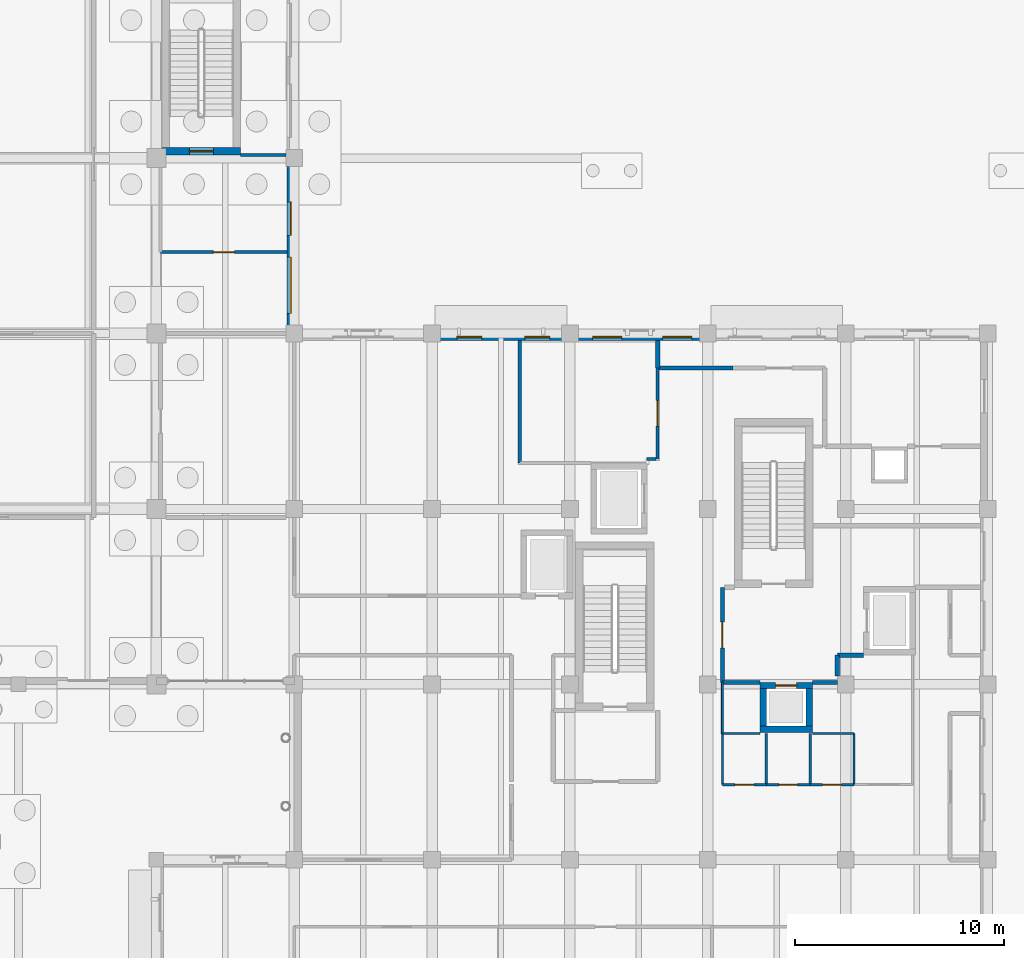
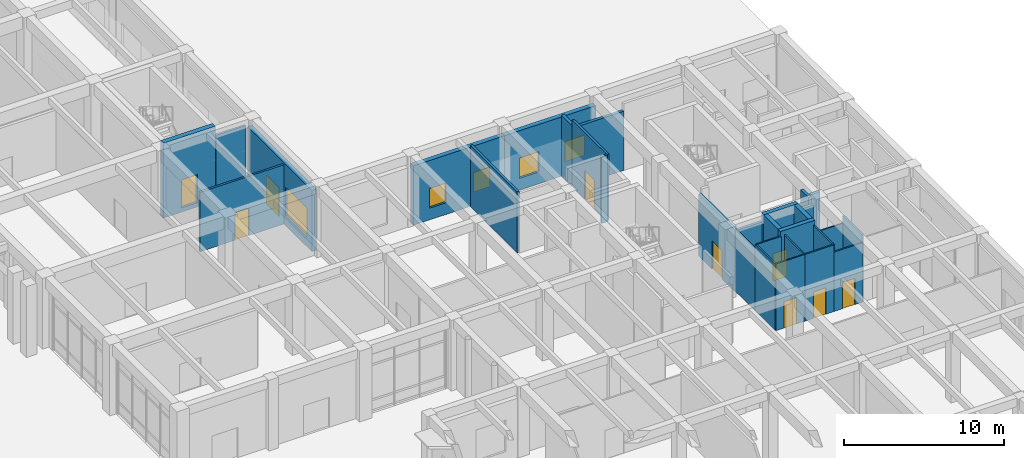
# One storey, part 62 of 82: 30 walls, 9 doors, 5 windows, 14 openings.
"""IFC4 building model written with IfcOpenShell, lengths in metres."""

from ifc_helpers import new_model, si_unit, direction, frame, frame_2d, origin, place, context, subcontext, project, spatial, rectangle, extrude, material, layer, layer_set, type_object, element, fill, save


model = new_model("IFC4")

# Units and contexts
model_context = context("Model", 3, precision=1e-05, world=origin(), true_north=direction((0.0, 1.0)))
body_context = subcontext(model_context, "Body", "Model", "MODEL_VIEW")
ifc_project = project(units=[si_unit("LENGTHUNIT", "METRE"), si_unit("AREAUNIT", "SQUARE_METRE"), si_unit("VOLUMEUNIT", "CUBIC_METRE"), si_unit("PLANEANGLEUNIT", "RADIAN"), si_unit("MASSUNIT", "GRAM", prefix="KILO")], contexts=[model_context])

# Site, building, storey
site_placement = place(None, origin())
site = spatial("IfcSite", under=ifc_project, at=site_placement, CompositionType="ELEMENT")
building_placement = place(site_placement, origin())
building = spatial("IfcBuilding", under=site, at=building_placement, Name="Kolvaren Faculty of Natural Sciences", CompositionType="ELEMENT")
storey_placement = place(building_placement, origin())
storey = spatial("IfcBuildingStorey", under=building, at=storey_placement, Name="L00", CompositionType="ELEMENT", Elevation=0.0)

# Wall
ifc_material_1 = material(Name="Acoustic mineral-wool insulated gypsum partition")
ifc_layer_1 = layer(ifc_material_1, 0.159912109375)
ifc_layer_set_1 = layer_set([ifc_layer_1], Name="Acoustic mineral-wool insulated gypsum partition")
wall_type_1 = type_object("IfcWallType", Name="ClassroomPartitionWall_160", PredefinedType="PARTITIONING", material=ifc_layer_set_1)
wall_1_placement = place(storey_placement, frame((149.60009765625, 83.85791015625, 0.0), z_axis=(0.0, 0.0, 1.0), x_axis=(0.0, -1.0, 0.0)))
element("IfcWall", 1, at=wall_1_placement, inside=storey, type_object=wall_type_1, Name="L00 interior partition PW-160", PredefinedType="PARTITIONING", context=body_context, shape_type="SweptSolid", body=[
    extrude(rectangle(XDim=5.85791015625, YDim=0.159912109375, at=frame_2d((2.928955078125, 0.0))), origin(), (0.0, 0.0, 1.0), 4.68505859375),
])

# Wall, opening, door
ifc_layer_2 = layer(ifc_material_1, 0.14501953125)
ifc_layer_set_2 = layer_set([ifc_layer_2], Name="Acoustic mineral-wool insulated gypsum partition")
wall_type_2 = type_object("IfcWallType", Name="CommonsPartitionWall_145", PredefinedType="PARTITIONING", material=ifc_layer_set_2)
wall_2_placement = place(storey_placement, frame((156.199951171875, 82.550048828125, 0.0), z_axis=(0.0, 0.0, 1.0), x_axis=(0.0, -1.0, 0.0)))
wall_2 = element("IfcWall", 2, at=wall_2_placement, inside=storey, type_object=wall_type_2, Name="L00 interior partition PW-145", PredefinedType="PARTITIONING", context=body_context, shape_type="SweptSolid", body=[
    extrude(rectangle(XDim=4.35009765625, YDim=0.14501953125, at=frame_2d((2.175048828125, 0.0))), origin(), (0.0, 0.0, 1.0), 5.094970703125),
])
opening_1_placement = place(wall_2_placement, frame((1.56494140625, 0.0, 0.0)))
opening_1 = element("IfcOpeningElement", 3, at=opening_1_placement, cuts=wall_2, Name="Opening ID-37", PredefinedType="OPENING", context=body_context, shape_type="SweptSolid", body=[
    extrude(rectangle(XDim=1.219970703125, YDim=2.179931640625, at=frame_2d((0.60986328125, 1.08984375))), frame((0.0, 0.08251953125, 0.0), z_axis=(0.0, -1.0, 0.0), x_axis=(1.0, 0.0, 0.0)), (0.0, 0.0, 1.0), 0.1650390625),
])
ifc_material_2 = material(Name="Solid-core hardwood veneer door leaf in steel frame", Category="steel")
door_type_1 = type_object("IfcDoorType", Name="InteriorRoomDoor_1220x2180", OperationType="NOTDEFINED", PredefinedType="DOOR", material=ifc_material_2)
door_1_placement = place(opening_1_placement, origin())
door_1 = element("IfcDoor", 4, at=door_1_placement, inside=storey, type_object=door_type_1, Name="D-L00-0102", OperationType="SINGLE_SWING_RIGHT", OverallHeight=2.179931640625, OverallWidth=1.219970703125, PredefinedType="DOOR", context=body_context, shape_type="SweptSolid", body=[
    extrude(rectangle(XDim=1.219970703125, YDim=2.179931640625, at=frame_2d((0.60986328125, 1.08984375))), frame((0.0, 0.02490234375, 0.0), z_axis=(0.0, -1.0, 0.0), x_axis=(1.0, 0.0, 0.0)), (0.0, 0.0, 1.0), 0.050048828125),
])
fill(opening_1, door_1)

# Wall
wall_3_placement = place(storey_placement, frame((156.12744140625, 78.199951171875, 0.0), z_axis=(0.0, 0.0, 1.0), x_axis=(-1.0, 0.0, 0.0)))
element("IfcWall", 5, at=wall_3_placement, inside=storey, type_object=wall_type_2, Name="L00 interior partition PW-145", PredefinedType="PARTITIONING", context=body_context, shape_type="SweptSolid", body=[
    extrude(rectangle(XDim=0.427490234375, YDim=0.14501953125, at=frame_2d((0.2138671875, 0.0))), origin(), (0.0, 0.0, 1.0), 5.094970703125),
])

# Wall, opening, door
ifc_material_3 = material(Name="Concrete C40/50", Category="concrete")
ifc_layer_3 = layer(ifc_material_3, 0.35009765625)
ifc_layer_set_3 = layer_set([ifc_layer_3], Name="Concrete C40/50")
wall_type_3 = type_object("IfcWallType", Name="CoreShearWall_350", PredefinedType="SHEAR", material=ifc_layer_set_3)
wall_4_placement = place(storey_placement, frame((136.22509765625, 92.925048828125, -0.320068359375), z_axis=(0.0, 0.0, 1.0), x_axis=(-1.0, 0.0, 0.0)))
wall_4 = element("IfcWall", 6, at=wall_4_placement, inside=storey, type_object=wall_type_3, Name="L00 CORE-C7 stair shear wall S", PredefinedType="SHEAR", context=body_context, shape_type="SweptSolid", body=[
    extrude(rectangle(XDim=3.75, YDim=0.35009765625, at=frame_2d((1.875, 0.0))), origin(), (0.0, 0.0, 1.0), 5.719970703125),
])
opening_2_placement = place(wall_4_placement, frame((1.300048828125, 0.0, 0.320068359375)))
opening_2 = element("IfcOpeningElement", 7, at=opening_2_placement, cuts=wall_4, Name="Opening FD90", PredefinedType="OPENING", context=body_context, shape_type="SweptSolid", body=[
    extrude(rectangle(XDim=1.14990234375, YDim=2.14990234375, at=frame_2d((0.574951171875, 1.074951171875))), frame((0.0, 0.18505859375, 0.0), z_axis=(0.0, -1.0, 0.0), x_axis=(1.0, 0.0, 0.0)), (0.0, 0.0, 1.0), 0.3701171875),
])
ifc_material_4 = material(Name="Fire-rated solid-core hardwood door leaf in steel frame", Category="steel")
door_type_2 = type_object("IfcDoorType", Name="StairCoreFireDoor_1150x2150", OperationType="NOTDEFINED", PredefinedType="DOOR", material=ifc_material_4)
door_2_placement = place(opening_2_placement, origin())
door_2 = element("IfcDoor", 8, at=door_2_placement, inside=storey, type_object=door_type_2, Name="D-ST-ST-7-L00", OperationType="SINGLE_SWING_RIGHT", OverallHeight=2.14990234375, OverallWidth=1.14990234375, PredefinedType="DOOR", context=body_context, shape_type="SweptSolid", body=[
    extrude(rectangle(XDim=1.14990234375, YDim=2.14990234375, at=frame_2d((0.574951171875, 1.074951171875))), frame((0.0, 0.02490234375, 0.0), z_axis=(0.0, -1.0, 0.0), x_axis=(1.0, 0.0, 0.0)), (0.0, 0.0, 1.0), 0.050048828125),
])
fill(opening_2, door_2)

# Wall
ifc_layer_4 = layer(ifc_material_1, 0.094970703125)
ifc_layer_set_4 = layer_set([ifc_layer_4], Name="Acoustic mineral-wool insulated gypsum partition")
wall_type_4 = type_object("IfcWallType", Name="CubiclePartition_095", PredefinedType="PARTITIONING", material=ifc_layer_set_4)
wall_5_placement = place(storey_placement, frame((159.300048828125, 65.050048828125, 0.0), z_axis=(0.0, 0.0, 1.0), x_axis=(0.0, 1.0, 0.0)))
element("IfcWall", 9, at=wall_5_placement, inside=storey, type_object=wall_type_4, Name="L00 interior partition PW-095", PredefinedType="PARTITIONING", context=body_context, shape_type="SweptSolid", body=[
    extrude(rectangle(XDim=2.449951171875, YDim=0.094970703125, at=frame_2d((1.22509765625, 0.0))), origin(), (0.0, 0.0, 1.0), 4.735107421875),
])

# Wall, openings, window, door
ifc_material_5 = material(Name="Sandstone-faced insulated cavity masonry", Category="masonry")
ifc_layer_5 = layer(ifc_material_5, 0.340087890625)
ifc_layer_set_5 = layer_set([ifc_layer_5], Name="Sandstone-faced insulated cavity masonry")
wall_type_5 = type_object("IfcWallType", Name="ExteriorCavityWall_340", PredefinedType="STANDARD", material=ifc_layer_set_5)
wall_6_placement = place(storey_placement, frame((138.6298828125, 92.60009765625, 0.0), z_axis=(0.0, 0.0, 1.0), x_axis=(0.0, -1.0, 0.0)))
wall_6 = element("IfcWall", 10, at=wall_6_placement, inside=storey, type_object=wall_type_5, Name="L00 exterior masonry wall EW-340 (112)", PredefinedType="STANDARD", context=body_context, shape_type="SweptSolid", body=[
    extrude(rectangle(XDim=8.06005859375, YDim=0.340087890625, at=frame_2d((4.030029296875, 0.0))), origin(), (0.0, 0.0, 1.0), 4.68505859375),
])
opening_3_placement = place(wall_6_placement, frame((2.10009765625, 0.0, 0.0)))
opening_3 = element("IfcOpeningElement", 11, at=opening_3_placement, cuts=wall_6, Name="Opening ED-03", PredefinedType="OPENING", context=body_context, shape_type="SweptSolid", body=[
    extrude(rectangle(XDim=1.60009765625, YDim=2.199951171875, at=frame_2d((0.800048828125, 1.10009765625))), frame((0.0, 0.179931640625, 0.0), z_axis=(0.0, -1.0, 0.0), x_axis=(1.0, 0.0, 0.0)), (0.0, 0.0, 1.0), 0.360107421875),
])
opening_4_placement = place(wall_6_placement, frame((4.739990234375, 0.0, 0.75)))
opening_4 = element("IfcOpeningElement", 12, at=opening_4_placement, cuts=wall_6, Name="Opening WIN-11", PredefinedType="OPENING", context=body_context, shape_type="SweptSolid", body=[
    extrude(rectangle(XDim=2.699951171875, YDim=2.199951171875, at=frame_2d((1.35009765625, 1.10009765625))), frame((0.0, 0.179931640625, 0.0), z_axis=(0.0, -1.0, 0.0), x_axis=(1.0, 0.0, 0.0)), (0.0, 0.0, 1.0), 0.360107421875),
])
ifc_material_6 = material(Name="Double low-E solar control insulated glazing", Category="glass")
window_type_1 = type_object("IfcWindowType", Name="AluWindow_WIN11_2700x2200", PartitioningType="SINGLE_PANEL", PredefinedType="WINDOW", material=ifc_material_6)
window_1_placement = place(opening_4_placement, origin())
window_1 = element("IfcWindow", 13, at=window_1_placement, inside=storey, type_object=window_type_1, Name="WIN-L00-0101", OverallHeight=2.199951171875, OverallWidth=2.699951171875, PartitioningType="SINGLE_PANEL", PredefinedType="WINDOW", context=body_context, shape_type="SweptSolid", body=[
    extrude(rectangle(XDim=2.699951171875, YDim=2.199951171875, at=frame_2d((1.35009765625, 1.10009765625))), frame((0.0, 0.030029296875, 0.0), z_axis=(0.0, -1.0, 0.0), x_axis=(1.0, 0.0, 0.0)), (0.0, 0.0, 1.0), 0.06005859375),
])
fill(opening_4, window_1)
ifc_material_7 = material(Name="Thermally broken anodised aluminium framing", Category="aluminium")
door_type_3 = type_object("IfcDoorType", Name="FinalExitDoubleDoor_1600x2200", OperationType="DOUBLE_DOOR_SINGLE_SWING", PredefinedType="DOOR", material=ifc_material_7)
door_3_placement = place(opening_3_placement, origin())
door_3 = element("IfcDoor", 14, at=door_3_placement, inside=storey, type_object=door_type_3, Name="D-L00-EX-02", OperationType="DOUBLE_DOOR_SINGLE_SWING", OverallHeight=2.199951171875, OverallWidth=1.60009765625, PredefinedType="DOOR", context=body_context, shape_type="SweptSolid", body=[
    extrude(rectangle(XDim=1.60009765625, YDim=2.199951171875, at=frame_2d((0.800048828125, 1.10009765625))), frame((0.0, 0.02490234375, 0.0), z_axis=(0.0, -1.0, 0.0), x_axis=(1.0, 0.0, 0.0)), (0.0, 0.0, 1.0), 0.050048828125),
])
fill(opening_3, door_3)

# Wall, openings, windows
wall_7_placement = place(storey_placement, frame((145.39990234375, 84.030029296875, 0.0), z_axis=(0.0, 0.0, 1.0), x_axis=(1.0, 0.0, 0.0)))
wall_7 = element("IfcWall", 15, at=wall_7_placement, inside=storey, type_object=wall_type_5, Name="L00 exterior masonry wall EW-340 (114)", PredefinedType="STANDARD", context=body_context, shape_type="SweptSolid", body=[
    extrude(rectangle(XDim=6.60009765625, YDim=0.340087890625, at=frame_2d((3.300048828125, 0.0))), origin(), (0.0, 0.0, 1.0), 4.534912109375),
])
opening_5_placement = place(wall_7_placement, frame((1.181884765625, 0.0, 0.89990234375)))
opening_5 = element("IfcOpeningElement", 16, at=opening_5_placement, cuts=wall_7, Name="Opening WIN-13", PredefinedType="OPENING", context=body_context, shape_type="SweptSolid", body=[
    extrude(rectangle(XDim=1.199951171875, YDim=1.5, at=frame_2d((0.60009765625, 0.75))), frame((0.0, 0.179931640625, 0.0), z_axis=(0.0, -1.0, 0.0), x_axis=(1.0, 0.0, 0.0)), (0.0, 0.0, 1.0), 0.360107421875),
])
opening_6_placement = place(wall_7_placement, frame((4.43994140625, 0.0, 0.89990234375)))
opening_6 = element("IfcOpeningElement", 17, at=opening_6_placement, cuts=wall_7, Name="Opening WIN-13", PredefinedType="OPENING", context=body_context, shape_type="SweptSolid", body=[
    extrude(rectangle(XDim=1.199951171875, YDim=1.5, at=frame_2d((0.60009765625, 0.75))), frame((0.0, 0.179931640625, 0.0), z_axis=(0.0, -1.0, 0.0), x_axis=(1.0, 0.0, 0.0)), (0.0, 0.0, 1.0), 0.360107421875),
])
window_type_2 = type_object("IfcWindowType", Name="AluWindow_WIN13_1200x1500", PartitioningType="SINGLE_PANEL", PredefinedType="WINDOW", material=ifc_material_6)
window_2_placement = place(opening_5_placement, origin())
window_2 = element("IfcWindow", 18, at=window_2_placement, inside=storey, type_object=window_type_2, Name="WIN-L00-0103", OverallHeight=1.5, OverallWidth=1.199951171875, PartitioningType="SINGLE_PANEL", PredefinedType="WINDOW", context=body_context, shape_type="SweptSolid", body=[
    extrude(rectangle(XDim=1.199951171875, YDim=1.5, at=frame_2d((0.60009765625, 0.75))), frame((0.0, 0.030029296875, 0.0), z_axis=(0.0, -1.0, 0.0), x_axis=(1.0, 0.0, 0.0)), (0.0, 0.0, 1.0), 0.06005859375),
])
fill(opening_5, window_2)
window_3_placement = place(opening_6_placement, origin())
window_3 = element("IfcWindow", 19, at=window_3_placement, inside=storey, type_object=window_type_2, Name="WIN-L00-0104", OverallHeight=1.5, OverallWidth=1.199951171875, PartitioningType="SINGLE_PANEL", PredefinedType="WINDOW", context=body_context, shape_type="SweptSolid", body=[
    extrude(rectangle(XDim=1.199951171875, YDim=1.5, at=frame_2d((0.60009765625, 0.75))), frame((0.0, 0.030029296875, 0.0), z_axis=(0.0, -1.0, 0.0), x_axis=(1.0, 0.0, 0.0)), (0.0, 0.0, 1.0), 0.06005859375),
])
fill(opening_6, window_3)

wall_8_placement = place(storey_placement, frame((152.0, 84.030029296875, 0.0), z_axis=(0.0, 0.0, 1.0), x_axis=(1.0, 0.0, 0.0)))
wall_8 = element("IfcWall", 20, at=wall_8_placement, inside=storey, type_object=wall_type_5, Name="L00 exterior masonry wall EW-340 (115)", PredefinedType="STANDARD", context=body_context, shape_type="SweptSolid", body=[
    extrude(rectangle(XDim=6.60009765625, YDim=0.340087890625, at=frame_2d((3.300048828125, 0.0))), origin(), (0.0, 0.0, 1.0), 4.534912109375),
])
opening_7_placement = place(wall_8_placement, frame((1.08203125, 0.0, 0.89990234375)))
opening_7 = element("IfcOpeningElement", 21, at=opening_7_placement, cuts=wall_8, Name="Opening WIN-14", PredefinedType="OPENING", context=body_context, shape_type="SweptSolid", body=[
    extrude(rectangle(XDim=1.39990234375, YDim=1.550048828125, at=frame_2d((0.699951171875, 0.77490234375))), frame((0.0, 0.179931640625, 0.0), z_axis=(0.0, -1.0, 0.0), x_axis=(1.0, 0.0, 0.0)), (0.0, 0.0, 1.0), 0.360107421875),
])
opening_8_placement = place(wall_8_placement, frame((4.43994140625, 0.0, 0.89990234375)))
opening_8 = element("IfcOpeningElement", 22, at=opening_8_placement, cuts=wall_8, Name="Opening WIN-14", PredefinedType="OPENING", context=body_context, shape_type="SweptSolid", body=[
    extrude(rectangle(XDim=1.39990234375, YDim=1.550048828125, at=frame_2d((0.699951171875, 0.77490234375))), frame((0.0, 0.179931640625, 0.0), z_axis=(0.0, -1.0, 0.0), x_axis=(1.0, 0.0, 0.0)), (0.0, 0.0, 1.0), 0.360107421875),
])
window_type_3 = type_object("IfcWindowType", Name="AluWindow_WIN14_1400x1550", PartitioningType="SINGLE_PANEL", PredefinedType="WINDOW", material=ifc_material_6)
window_4_placement = place(opening_7_placement, origin())
window_4 = element("IfcWindow", 23, at=window_4_placement, inside=storey, type_object=window_type_3, Name="WIN-L00-0105", OverallHeight=1.550048828125, OverallWidth=1.39990234375, PartitioningType="SINGLE_PANEL", PredefinedType="WINDOW", context=body_context, shape_type="SweptSolid", body=[
    extrude(rectangle(XDim=1.39990234375, YDim=1.550048828125, at=frame_2d((0.699951171875, 0.77490234375))), frame((0.0, 0.030029296875, 0.0), z_axis=(0.0, -1.0, 0.0), x_axis=(1.0, 0.0, 0.0)), (0.0, 0.0, 1.0), 0.06005859375),
])
fill(opening_7, window_4)
window_5_placement = place(opening_8_placement, origin())
window_5 = element("IfcWindow", 24, at=window_5_placement, inside=storey, type_object=window_type_3, Name="WIN-L00-0106", OverallHeight=1.550048828125, OverallWidth=1.39990234375, PartitioningType="SINGLE_PANEL", PredefinedType="WINDOW", context=body_context, shape_type="SweptSolid", body=[
    extrude(rectangle(XDim=1.39990234375, YDim=1.550048828125, at=frame_2d((0.699951171875, 0.77490234375))), frame((0.0, 0.030029296875, 0.0), z_axis=(0.0, -1.0, 0.0), x_axis=(1.0, 0.0, 0.0)), (0.0, 0.0, 1.0), 0.06005859375),
])
fill(opening_8, window_5)

# Walls
ifc_material_8 = material(Name="Autoclaved aerated fire-rated masonry blockwork", Category="masonry")
ifc_layer_6 = layer(ifc_material_8, 0.199951171875)
ifc_layer_set_6 = layer_set([ifc_layer_6], Name="Autoclaved aerated fire-rated masonry blockwork")
wall_type_6 = type_object("IfcWallType", Name="FireLobbyWall_200", PredefinedType="PARTITIONING", material=ifc_layer_set_6)
wall_9_placement = place(storey_placement, frame((166.050048828125, 68.800048828125, 0.0), z_axis=(0.0, 0.0, 1.0), x_axis=(-1.0, 0.0, 0.0)))
element("IfcWall", 25, at=wall_9_placement, inside=storey, type_object=wall_type_6, Name="L00 interior partition FW-200", PredefinedType="PARTITIONING", context=body_context, shape_type="SweptSolid", body=[
    extrude(rectangle(XDim=1.25, YDim=0.199951171875, at=frame_2d((0.625, 0.0))), origin(), (0.0, 0.0, 1.0), 4.534912109375),
])
wall_10_placement = place(storey_placement, frame((164.800048828125, 68.800048828125, 0.0), z_axis=(0.0, 0.0, 1.0), x_axis=(0.0, -1.0, 0.0)))
element("IfcWall", 26, at=wall_10_placement, inside=storey, type_object=wall_type_6, Name="L00 interior partition FW-200", PredefinedType="PARTITIONING", context=body_context, shape_type="SweptSolid", body=[
    extrude(rectangle(XDim=1.0, YDim=0.199951171875, at=frame_2d((0.5, 0.0))), origin(), (0.0, 0.0, 1.0), 5.094970703125),
])
wall_11_placement = place(storey_placement, frame((164.800048828125, 67.5, 0.0), z_axis=(0.0, 0.0, 1.0), x_axis=(-1.0, 0.0, 0.0)))
element("IfcWall", 27, at=wall_11_placement, inside=storey, type_object=wall_type_6, Name="L00 interior partition FW-200", PredefinedType="PARTITIONING", context=body_context, shape_type="SweptSolid", body=[
    extrude(rectangle(XDim=1.199951171875, YDim=0.199951171875, at=frame_2d((0.60009765625, 0.0))), origin(), (0.0, 0.0, 1.0), 4.735107421875),
])
wall_12_placement = place(storey_placement, frame((161.10009765625, 67.5, 0.0), z_axis=(0.0, 0.0, 1.0), x_axis=(-1.0, 0.0, 0.0)))
element("IfcWall", 28, at=wall_12_placement, inside=storey, type_object=wall_type_6, Name="L00 interior partition FW-200", PredefinedType="PARTITIONING", context=body_context, shape_type="SweptSolid", body=[
    extrude(rectangle(XDim=1.800048828125, YDim=0.199951171875, at=frame_2d((0.89990234375, 0.0))), origin(), (0.0, 0.0, 1.0), 4.735107421875),
])

# Wall, opening, door
wall_13_placement = place(storey_placement, frame((159.300048828125, 67.5, 0.0), z_axis=(0.0, 0.0, 1.0), x_axis=(0.0, 1.0, 0.0)))
wall_13 = element("IfcWall", 29, at=wall_13_placement, inside=storey, type_object=wall_type_6, Name="L00 interior partition FW-200", PredefinedType="PARTITIONING", context=body_context, shape_type="SweptSolid", body=[
    extrude(rectangle(XDim=4.550048828125, YDim=0.199951171875, at=frame_2d((2.27490234375, 0.0))), origin(), (0.0, 0.0, 1.0), 4.735107421875),
])
opening_9_placement = place(wall_13_placement, frame((1.64990234375, 0.0, 0.0)))
opening_9 = element("IfcOpeningElement", 30, at=opening_9_placement, cuts=wall_13, Name="Opening FD60", PredefinedType="OPENING", context=body_context, shape_type="SweptSolid", body=[
    extrude(rectangle(XDim=1.25, YDim=2.14990234375, at=frame_2d((0.625, 1.074951171875))), frame((0.0, 0.10986328125, 0.0), z_axis=(0.0, -1.0, 0.0), x_axis=(1.0, 0.0, 0.0)), (0.0, 0.0, 1.0), 0.219970703125),
])
door_type_4 = type_object("IfcDoorType", Name="RescueLobbyFireDoor_1250x2150", OperationType="NOTDEFINED", PredefinedType="DOOR", material=ifc_material_4)
door_4_placement = place(opening_9_placement, origin())
door_4 = element("IfcDoor", 31, at=door_4_placement, inside=storey, type_object=door_type_4, Name="D-L00-0026", OperationType="SINGLE_SWING_LEFT", OverallHeight=2.14990234375, OverallWidth=1.25, PredefinedType="DOOR", context=body_context, shape_type="SweptSolid", body=[
    extrude(rectangle(XDim=1.25, YDim=2.14990234375, at=frame_2d((0.625, 1.074951171875))), frame((0.0, 0.02490234375, 0.0), z_axis=(0.0, -1.0, 0.0), x_axis=(1.0, 0.0, 0.0)), (0.0, 0.0, 1.0), 0.050048828125),
])
fill(opening_9, door_4)

# Walls
wall_14_placement = place(storey_placement, frame((159.800048828125, 82.550048828125, 0.0), z_axis=(0.0, 0.0, 1.0), x_axis=(-1.0, 0.0, 0.0)))
element("IfcWall", 32, at=wall_14_placement, inside=storey, type_object=wall_type_6, Name="L00 interior partition FW-200", PredefinedType="PARTITIONING", context=body_context, shape_type="SweptSolid", body=[
    extrude(rectangle(XDim=3.60009765625, YDim=0.199951171875, at=frame_2d((1.800048828125, 0.0))), origin(), (0.0, 0.0, 1.0), 4.534912109375),
])
wall_15_placement = place(storey_placement, frame((156.199951171875, 82.550048828125, 0.0), z_axis=(0.0, 0.0, 1.0), x_axis=(0.0, 1.0, 0.0)))
element("IfcWall", 33, at=wall_15_placement, inside=storey, type_object=wall_type_6, Name="L00 interior partition FW-200", PredefinedType="PARTITIONING", context=body_context, shape_type="SweptSolid", body=[
    extrude(rectangle(XDim=1.307861328125, YDim=0.199951171875, at=frame_2d((0.65380859375, 0.0))), origin(), (0.0, 0.0, 1.0), 4.68505859375),
])
ifc_material_9 = material(Name="Double fire-rated gypsum board on 100 mm steel stud", Category="steel")
ifc_layer_7 = layer(ifc_material_9, 0.14990234375)
ifc_layer_set_7 = layer_set([ifc_layer_7], Name="Double fire-rated gypsum board on 100 mm steel stud")
wall_type_7 = type_object("IfcWallType", Name="RatedCorridorWall_150", PredefinedType="PARTITIONING", material=ifc_layer_set_7)
wall_16_placement = place(storey_placement, frame((136.22509765625, 92.75, 0.0), z_axis=(0.0, 0.0, 1.0), x_axis=(1.0, 0.0, 0.0)))
element("IfcWall", 34, at=wall_16_placement, inside=storey, type_object=wall_type_7, Name="L00 interior partition LW-150", PredefinedType="PARTITIONING", context=body_context, shape_type="SweptSolid", body=[
    extrude(rectangle(XDim=2.1748046875, YDim=0.14990234375, at=frame_2d((1.08740234375, 0.0))), origin(), (0.0, 0.0, 1.0), 4.735107421875),
])

# Wall, opening, door
wall_17_placement = place(storey_placement, frame((138.4580078125, 88.10009765625, 0.0), z_axis=(0.0, 0.0, 1.0), x_axis=(-1.0, 0.0, 0.0)))
wall_17 = element("IfcWall", 35, at=wall_17_placement, inside=storey, type_object=wall_type_7, Name="L00 interior partition LW-150", PredefinedType="PARTITIONING", context=body_context, shape_type="SweptSolid", body=[
    extrude(rectangle(XDim=6.05810546875, YDim=0.14990234375, at=frame_2d((3.029052734375, 0.0))), origin(), (0.0, 0.0, 1.0), 4.534912109375),
])
opening_10_placement = place(wall_17_placement, frame((2.529052734375, 0.0, 0.0)))
opening_10 = element("IfcOpeningElement", 36, at=opening_10_placement, cuts=wall_17, Name="Opening FD30", PredefinedType="OPENING", context=body_context, shape_type="SweptSolid", body=[
    extrude(rectangle(XDim=1.0, YDim=2.10009765625, at=frame_2d((0.5, 1.050048828125))), frame((0.0, 0.0849609375, 0.0), z_axis=(0.0, -1.0, 0.0), x_axis=(1.0, 0.0, 0.0)), (0.0, 0.0, 1.0), 0.169921875),
])
door_type_5 = type_object("IfcDoorType", Name="CorridorFireDoor_1000x2100", OperationType="NOTDEFINED", PredefinedType="DOOR", material=ifc_material_4)
door_5_placement = place(opening_10_placement, origin())
door_5 = element("IfcDoor", 37, at=door_5_placement, inside=storey, type_object=door_type_5, Name="D-L00-0034", OperationType="SINGLE_SWING_LEFT", OverallHeight=2.10009765625, OverallWidth=1.0, PredefinedType="DOOR", context=body_context, shape_type="SweptSolid", body=[
    extrude(rectangle(XDim=1.0, YDim=2.10009765625, at=frame_2d((0.5, 1.050048828125))), frame((0.0, 0.02490234375, 0.0), z_axis=(0.0, -1.0, 0.0), x_axis=(1.0, 0.0, 0.0)), (0.0, 0.0, 1.0), 0.050048828125),
])
fill(opening_10, door_5)

# Wall
ifc_layer_8 = layer(ifc_material_3, 0.300048828125)
ifc_layer_set_8 = layer_set([ifc_layer_8], Name="Concrete C40/50")
wall_type_8 = type_object("IfcWallType", Name="ShaftShearWall_300", PredefinedType="SHEAR", material=ifc_layer_set_8)
wall_18_placement = place(storey_placement, frame((161.10009765625, 65.25, 0.0), z_axis=(0.0, 0.0, 1.0), x_axis=(1.0, 0.0, 0.0)))
element("IfcWall", 38, at=wall_18_placement, inside=storey, type_object=wall_type_8, Name="L00 lift PL-1 shaft wall S", PredefinedType="SHEAR", context=body_context, shape_type="SweptSolid", body=[
    extrude(rectangle(XDim=2.5, YDim=0.300048828125, at=frame_2d((1.25, 0.0))), origin(), (0.0, 0.0, 1.0), 5.39990234375),
])

# Wall, opening, door
wall_19_placement = place(storey_placement, frame((161.10009765625, 67.35009765625, 0.0), z_axis=(0.0, 0.0, 1.0), x_axis=(1.0, 0.0, 0.0)))
wall_19 = element("IfcWall", 39, at=wall_19_placement, inside=storey, type_object=wall_type_8, Name="L00 lift PL-1 shaft wall N", PredefinedType="SHEAR", context=body_context, shape_type="SweptSolid", body=[
    extrude(rectangle(XDim=2.5, YDim=0.300048828125, at=frame_2d((1.25, 0.0))), origin(), (0.0, 0.0, 1.0), 5.39990234375),
])
opening_11_placement = place(wall_19_placement, frame((0.75, 0.0, 0.0)))
opening_11 = element("IfcOpeningElement", 40, at=opening_11_placement, cuts=wall_19, Name="Opening LD-02", PredefinedType="OPENING", context=body_context, shape_type="SweptSolid", body=[
    extrude(rectangle(XDim=1.0, YDim=2.10009765625, at=frame_2d((0.5, 1.050048828125))), frame((0.0, 0.159912109375, 0.0), z_axis=(0.0, -1.0, 0.0), x_axis=(1.0, 0.0, 0.0)), (0.0, 0.0, 1.0), 0.320068359375),
])
ifc_material_10 = material(Name="Brushed stainless steel lift car and sliding door assembly", Category="steel")
door_type_6 = type_object("IfcDoorType", Name="LiftLandingSliding_1000x2100", OperationType="SLIDING_TO_LEFT", PredefinedType="DOOR", material=ifc_material_10)
door_6_placement = place(opening_11_placement, origin())
door_6 = element("IfcDoor", 41, at=door_6_placement, inside=storey, type_object=door_type_6, Name="D-LIFT-PL-1-L00", OperationType="SLIDING_TO_LEFT", OverallHeight=2.10009765625, OverallWidth=1.0, PredefinedType="DOOR", context=body_context, shape_type="SweptSolid", body=[
    extrude(rectangle(XDim=1.0, YDim=2.10009765625, at=frame_2d((0.5, 1.050048828125))), frame((0.0, 0.02490234375, 0.0), z_axis=(0.0, -1.0, 0.0), x_axis=(1.0, 0.0, 0.0)), (0.0, 0.0, 1.0), 0.050048828125),
])
fill(opening_11, door_6)

# Walls
for number, where, z_axis, x_axis, name in (
    (42, (161.25, 65.39990234375, 0.0), (0.0, 0.0, 1.0), (0.0, 1.0, 0.0), "L00 lift PL-1 shaft wall W"),
    (43, (163.449951171875, 65.39990234375, 0.0), (0.0, 0.0, 1.0), (0.0, 1.0, 0.0), "L00 lift PL-1 shaft wall E"),
):
    element("IfcWall", number, at=place(storey_placement, frame(where, z_axis=z_axis, x_axis=x_axis)), inside=storey, type_object=wall_type_8, Name=name, PredefinedType="SHEAR", context=body_context, shape_type="SweptSolid", body=[
        extrude(rectangle(XDim=1.800048828125, YDim=0.300048828125, at=frame_2d((0.89990234375, 0.0))), origin(), (0.0, 0.0, 1.0), 5.39990234375),
    ])
ifc_layer_9 = layer(ifc_material_1, 0.10498046875)
ifc_layer_set_9 = layer_set([ifc_layer_9], Name="Acoustic mineral-wool insulated gypsum partition")
wall_type_9 = type_object("IfcWallType", Name="WetRoomPartition_105", PredefinedType="PARTITIONING", material=ifc_layer_set_9)
wall_20_placement = place(storey_placement, frame((159.300048828125, 65.050048828125, 0.0), z_axis=(0.0, 0.0, 1.0), x_axis=(1.0, 0.0, 0.0)))
element("IfcWall", 44, at=wall_20_placement, inside=storey, type_object=wall_type_9, Name="L00 interior partition PW-105", PredefinedType="PARTITIONING", context=body_context, shape_type="SweptSolid", body=[
    extrude(rectangle(XDim=1.800048828125, YDim=0.10498046875, at=frame_2d((0.89990234375, 0.0))), origin(), (0.0, 0.0, 1.0), 5.094970703125),
])
wall_21_placement = place(storey_placement, frame((161.39990234375, 65.050048828125, 0.0), z_axis=(0.0, 0.0, 1.0), x_axis=(0.0, -1.0, 0.0)))
element("IfcWall", 45, at=wall_21_placement, inside=storey, type_object=wall_type_9, Name="L00 interior partition PW-105", PredefinedType="PARTITIONING", context=body_context, shape_type="SweptSolid", body=[
    extrude(rectangle(XDim=2.449951171875, YDim=0.10498046875, at=frame_2d((1.22509765625, 0.0))), origin(), (0.0, 0.0, 1.0), 5.094970703125),
])

# Wall, opening, door
wall_22_placement = place(storey_placement, frame((161.39990234375, 62.60009765625, 0.0), z_axis=(0.0, 0.0, 1.0), x_axis=(-1.0, 0.0, 0.0)))
wall_22 = element("IfcWall", 46, at=wall_22_placement, inside=storey, type_object=wall_type_9, Name="L00 interior partition PW-105", PredefinedType="PARTITIONING", context=body_context, shape_type="SweptSolid", body=[
    extrude(rectangle(XDim=2.099853515625, YDim=0.10498046875, at=frame_2d((1.0498046875, 0.0))), origin(), (0.0, 0.0, 1.0), 5.094970703125),
])
opening_12_placement = place(wall_22_placement, frame((0.60009765625, 0.0, 0.0)))
opening_12 = element("IfcOpeningElement", 47, at=opening_12_placement, cuts=wall_22, Name="Opening ID-01", PredefinedType="OPENING", context=body_context, shape_type="SweptSolid", body=[
    extrude(rectangle(XDim=0.89990234375, YDim=2.02001953125, at=frame_2d((0.449951171875, 1.010009765625))), frame((0.0, 0.0625, 0.0), z_axis=(0.0, -1.0, 0.0), x_axis=(1.0, 0.0, 0.0)), (0.0, 0.0, 1.0), 0.125),
])
door_type_7 = type_object("IfcDoorType", Name="InteriorRoomDoor_900x2020", OperationType="NOTDEFINED", PredefinedType="DOOR", material=ifc_material_2)
door_7_placement = place(opening_12_placement, origin())
door_7 = element("IfcDoor", 48, at=door_7_placement, inside=storey, type_object=door_type_7, Name="D-L00-0051", OperationType="SINGLE_SWING_LEFT", OverallHeight=2.02001953125, OverallWidth=0.89990234375, PredefinedType="DOOR", context=body_context, shape_type="SweptSolid", body=[
    extrude(rectangle(XDim=0.89990234375, YDim=2.02001953125, at=frame_2d((0.449951171875, 1.010009765625))), frame((0.0, 0.02490234375, 0.0), z_axis=(0.0, -1.0, 0.0), x_axis=(1.0, 0.0, 0.0)), (0.0, 0.0, 1.0), 0.050048828125),
])
fill(opening_12, door_7)

# Walls
for number, where, z_axis, x_axis, name in (
    (49, (159.300048828125, 62.60009765625, 0.0), (0.0, 0.0, 1.0), (0.0, 1.0, 0.0), "L00 interior partition PW-105"),
    (50, (163.5, 65.050048828125, 0.0), (0.0, 0.0, 1.0), (0.0, -1.0, 0.0), "L00 interior partition PW-105"),
):
    element("IfcWall", number, at=place(storey_placement, frame(where, z_axis=z_axis, x_axis=x_axis)), inside=storey, type_object=wall_type_9, Name=name, PredefinedType="PARTITIONING", context=body_context, shape_type="SweptSolid", body=[
        extrude(rectangle(XDim=2.449951171875, YDim=0.10498046875, at=frame_2d((1.22509765625, 0.0))), origin(), (0.0, 0.0, 1.0), 5.094970703125),
    ])

# Wall, opening, door
wall_23_placement = place(storey_placement, frame((163.5, 62.60009765625, 0.0), z_axis=(0.0, 0.0, 1.0), x_axis=(-1.0, 0.0, 0.0)))
wall_23 = element("IfcWall", 51, at=wall_23_placement, inside=storey, type_object=wall_type_9, Name="L00 interior partition PW-105", PredefinedType="PARTITIONING", context=body_context, shape_type="SweptSolid", body=[
    extrude(rectangle(XDim=2.10009765625, YDim=0.10498046875, at=frame_2d((1.050048828125, 0.0))), origin(), (0.0, 0.0, 1.0), 5.094970703125),
])
opening_13_placement = place(wall_23_placement, frame((0.60009765625, 0.0, 0.0)))
opening_13 = element("IfcOpeningElement", 52, at=opening_13_placement, cuts=wall_23, Name="Opening ID-01", PredefinedType="OPENING", context=body_context, shape_type="SweptSolid", body=[
    extrude(rectangle(XDim=0.89990234375, YDim=2.02001953125, at=frame_2d((0.449951171875, 1.010009765625))), frame((0.0, 0.0625, 0.0), z_axis=(0.0, -1.0, 0.0), x_axis=(1.0, 0.0, 0.0)), (0.0, 0.0, 1.0), 0.125),
])
door_8_placement = place(opening_13_placement, origin())
door_8 = element("IfcDoor", 53, at=door_8_placement, inside=storey, type_object=door_type_7, Name="D-L00-0052", OperationType="SINGLE_SWING_RIGHT", OverallHeight=2.02001953125, OverallWidth=0.89990234375, PredefinedType="DOOR", context=body_context, shape_type="SweptSolid", body=[
    extrude(rectangle(XDim=0.89990234375, YDim=2.02001953125, at=frame_2d((0.449951171875, 1.010009765625))), frame((0.0, 0.02490234375, 0.0), z_axis=(0.0, -1.0, 0.0), x_axis=(1.0, 0.0, 0.0)), (0.0, 0.0, 1.0), 0.050048828125),
])
fill(opening_13, door_8)

# Walls
wall_24_placement = place(storey_placement, frame((163.60009765625, 65.050048828125, 0.0), z_axis=(0.0, 0.0, 1.0), x_axis=(1.0, 0.0, 0.0)))
element("IfcWall", 54, at=wall_24_placement, inside=storey, type_object=wall_type_9, Name="L00 interior partition PW-105", PredefinedType="PARTITIONING", context=body_context, shape_type="SweptSolid", body=[
    extrude(rectangle(XDim=2.0, YDim=0.10498046875, at=frame_2d((1.0, 0.0))), origin(), (0.0, 0.0, 1.0), 4.534912109375),
])
wall_25_placement = place(storey_placement, frame((165.60009765625, 65.050048828125, 0.0), z_axis=(0.0, 0.0, 1.0), x_axis=(0.0, -1.0, 0.0)))
element("IfcWall", 55, at=wall_25_placement, inside=storey, type_object=wall_type_9, Name="L00 interior partition PW-105", PredefinedType="PARTITIONING", context=body_context, shape_type="SweptSolid", body=[
    extrude(rectangle(XDim=2.449951171875, YDim=0.10498046875, at=frame_2d((1.22509765625, 0.0))), origin(), (0.0, 0.0, 1.0), 5.094970703125),
])

# Wall, opening, door
wall_26_placement = place(storey_placement, frame((165.60009765625, 62.60009765625, 0.0), z_axis=(0.0, 0.0, 1.0), x_axis=(-1.0, 0.0, 0.0)))
wall_26 = element("IfcWall", 56, at=wall_26_placement, inside=storey, type_object=wall_type_9, Name="L00 interior partition PW-105", PredefinedType="PARTITIONING", context=body_context, shape_type="SweptSolid", body=[
    extrude(rectangle(XDim=2.10009765625, YDim=0.10498046875, at=frame_2d((1.050048828125, 0.0))), origin(), (0.0, 0.0, 1.0), 4.534912109375),
])
opening_14_placement = place(wall_26_placement, frame((0.60009765625, 0.0, 0.0)))
opening_14 = element("IfcOpeningElement", 57, at=opening_14_placement, cuts=wall_26, Name="Opening ID-01", PredefinedType="OPENING", context=body_context, shape_type="SweptSolid", body=[
    extrude(rectangle(XDim=0.89990234375, YDim=2.02001953125, at=frame_2d((0.449951171875, 1.010009765625))), frame((0.0, 0.0625, 0.0), z_axis=(0.0, -1.0, 0.0), x_axis=(1.0, 0.0, 0.0)), (0.0, 0.0, 1.0), 0.125),
])
door_9_placement = place(opening_14_placement, origin())
door_9 = element("IfcDoor", 58, at=door_9_placement, inside=storey, type_object=door_type_7, Name="D-L00-0053", OperationType="SINGLE_SWING_LEFT", OverallHeight=2.02001953125, OverallWidth=0.89990234375, PredefinedType="DOOR", context=body_context, shape_type="SweptSolid", body=[
    extrude(rectangle(XDim=0.89990234375, YDim=2.02001953125, at=frame_2d((0.449951171875, 1.010009765625))), frame((0.0, 0.02490234375, 0.0), z_axis=(0.0, -1.0, 0.0), x_axis=(1.0, 0.0, 0.0)), (0.0, 0.0, 1.0), 0.050048828125),
])
fill(opening_14, door_9)

save(model, "model.ifc")
